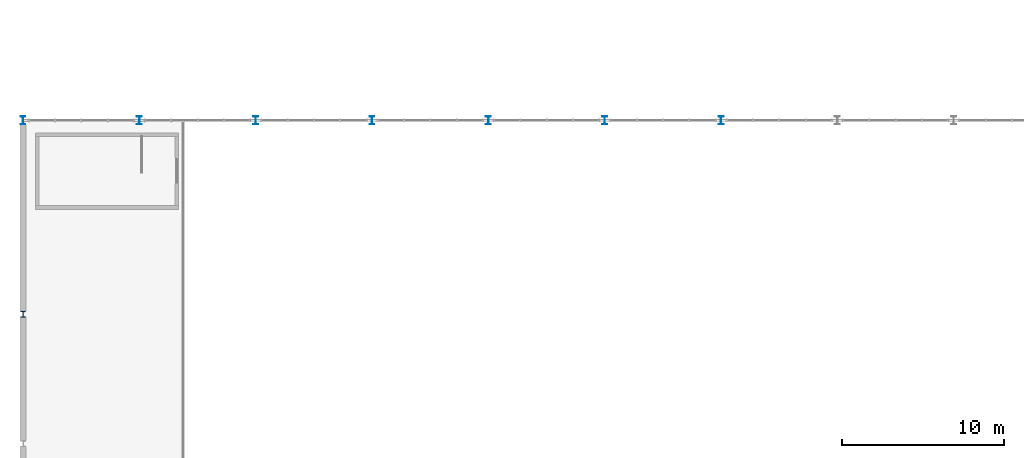
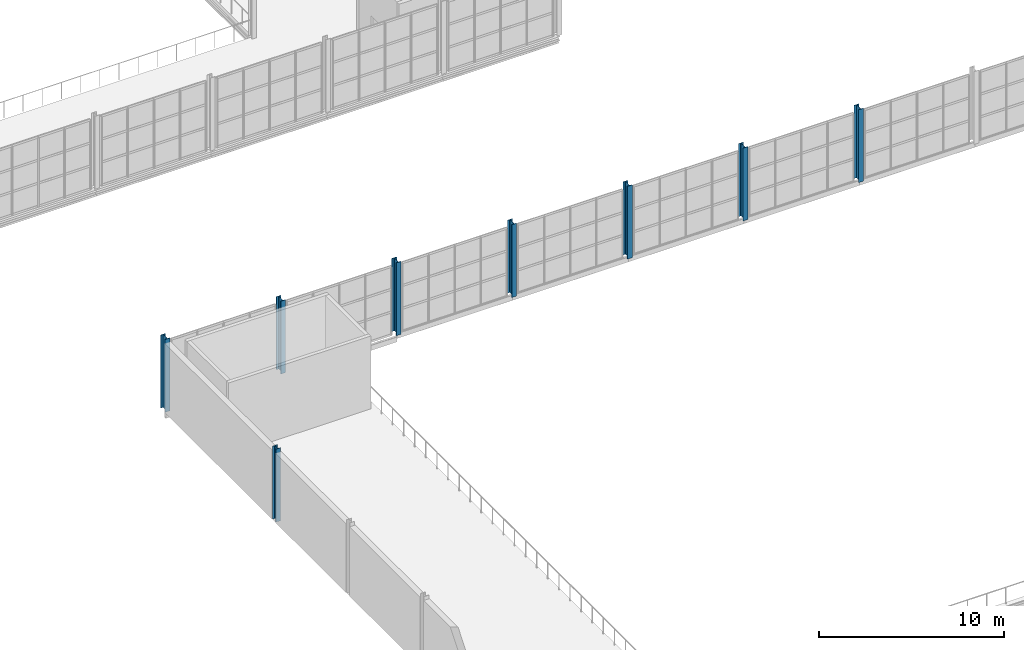
# One storey, part 3 of 143: 8 columns.
"""IFC4 building model written with IfcOpenShell, lengths in metres."""

from ifc_helpers import new_model, si_unit, derived_unit, direction, frame, origin, origin_2d, place, context, subcontext, project, spatial, i_section, extrude, material, material_profile, profile_set, type_object, element, save


model = new_model("IFC4")

# Units and contexts
model_context = context("Model", 3, precision=1e-05, world=origin(), true_north=direction((0.0, 1.0)))
body_context = subcontext(model_context, "Body", "Model", "MODEL_VIEW")
ifc_project = project(units=[si_unit("LENGTHUNIT", "METRE"), si_unit("AREAUNIT", "SQUARE_METRE"), si_unit("VOLUMEUNIT", "CUBIC_METRE"), si_unit("PLANEANGLEUNIT", "RADIAN"), si_unit("MASSUNIT", "GRAM", prefix="KILO"), derived_unit("THERMALTRANSMITTANCEUNIT", [(si_unit("POWERUNIT", "WATT"), 1), (si_unit("LENGTHUNIT", "METRE"), -2), (si_unit("THERMODYNAMICTEMPERATUREUNIT", "KELVIN"), -1)])], contexts=[model_context])

# Site, building, storey
site_placement = place(None, origin())
site = spatial("IfcSite", under=ifc_project, at=site_placement, CompositionType="ELEMENT")
building_placement = place(site_placement, origin())
building = spatial("IfcBuilding", under=site, at=building_placement, Name="Keldorne Ridge Multi-Sports Centre", CompositionType="ELEMENT")
storey_placement = place(building_placement, frame((0.0, 0.0, 4.800048828125)))
storey = spatial("IfcBuildingStorey", under=building, at=storey_placement, Name="L01", CompositionType="ELEMENT", Elevation=4.800048828125)

# Columns
ifc_material = material(Name="Steel S355", Category="steel")
ifc_material_profile_1 = material_profile(ifc_material, i_section(OverallWidth=0.300048828125, OverallDepth=0.5, WebThickness=0.014404296875, FlangeThickness=0.028076171875, FilletRadius=0.027099609375, at=origin_2d()), Name="HEB 500")
ifc_profile_set_1 = profile_set([ifc_material_profile_1], Name="Steel S355")
column_type_1 = type_object("IfcColumnType", Name="COL-C-05", PredefinedType="COLUMN", material=ifc_profile_set_1)
for number, where, z_axis, x_axis, name in (
    (1, (6.0, 54.0, 0.0), (0.0, 0.0, 1.0), (1.0, 0.0, 0.0), "Structural column V1-HALL-N-01 on L01"),
    (2, (13.199951171875, 54.0, 0.0), (0.0, 0.0, 1.0), (1.0, 0.0, 0.0), "Structural column V1-HALL-N-02 on L01"),
    (3, (20.39990234375, 54.0, 0.0), (0.0, 0.0, 1.0), (1.0, 0.0, 0.0), "Structural column V1-HALL-N-03 on L01"),
    (4, (27.60009765625, 54.0, 0.0), (0.0, 0.0, 1.0), (1.0, 0.0, 0.0), "Structural column V1-HALL-N-04 on L01"),
    (5, (34.800048828125, 54.0, 0.0), (0.0, 0.0, 1.0), (1.0, 0.0, 0.0), "Structural column V1-HALL-N-05 on L01"),
    (6, (42.0, 54.0, 0.0), (0.0, 0.0, 1.0), (1.0, 0.0, 0.0), "Structural column V1-HALL-N-06 on L01"),
    (7, (49.199951171875, 54.0, 0.0), (0.0, 0.0, 1.0), (1.0, 0.0, 0.0), "Structural column V1-HALL-N-07 on L01"),
):
    element("IfcColumn", number, at=place(storey_placement, frame(where, z_axis=z_axis, x_axis=x_axis)), inside=storey, type_object=column_type_1, Name=name, PredefinedType="COLUMN", context=body_context, shape_type="SweptSolid", body=[
        extrude(i_section(OverallWidth=0.300048828125, OverallDepth=0.5, WebThickness=0.014404296875, FlangeThickness=0.028076171875, FilletRadius=0.027099609375, at=origin_2d()), origin(), (0.0, 0.0, 1.0), 4.800048828125),
    ])
ifc_material_profile_2 = material_profile(ifc_material, i_section(OverallWidth=0.300048828125, OverallDepth=0.360107421875, WebThickness=0.012451171875, FlangeThickness=0.0224609375, FilletRadius=0.027099609375, at=origin_2d()), Name="HEB 360")
ifc_profile_set_2 = profile_set([ifc_material_profile_2], Name="Steel S355")
column_type_2 = type_object("IfcColumnType", Name="COL-C-10", PredefinedType="COLUMN", material=ifc_profile_set_2)
column_placement = place(storey_placement, frame((6.0, 42.0, 0.0), z_axis=(0.0, 0.0, 1.0), x_axis=(1.0, 0.0, 0.0)))
element("IfcColumn", 8, at=column_placement, inside=storey, type_object=column_type_2, Name="Structural column V1-GABLE-W-04 on L01", PredefinedType="COLUMN", context=body_context, shape_type="SweptSolid", body=[
    extrude(i_section(OverallWidth=0.300048828125, OverallDepth=0.360107421875, WebThickness=0.012451171875, FlangeThickness=0.0224609375, FilletRadius=0.027099609375, at=origin_2d()), origin(), (0.0, 0.0, 1.0), 4.800048828125),
])

save(model, "model.ifc")
